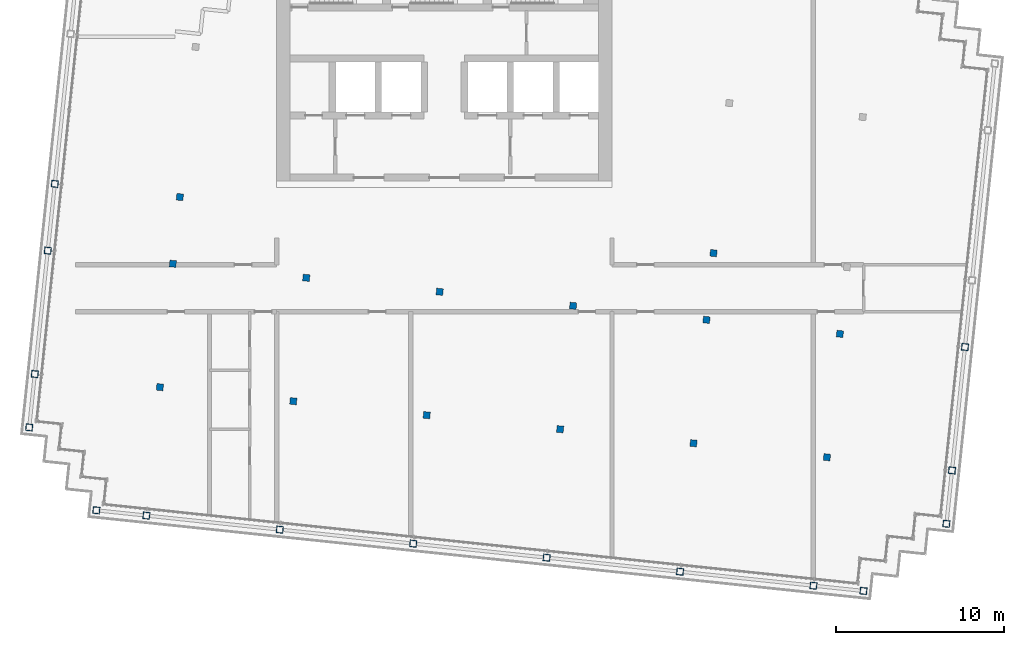
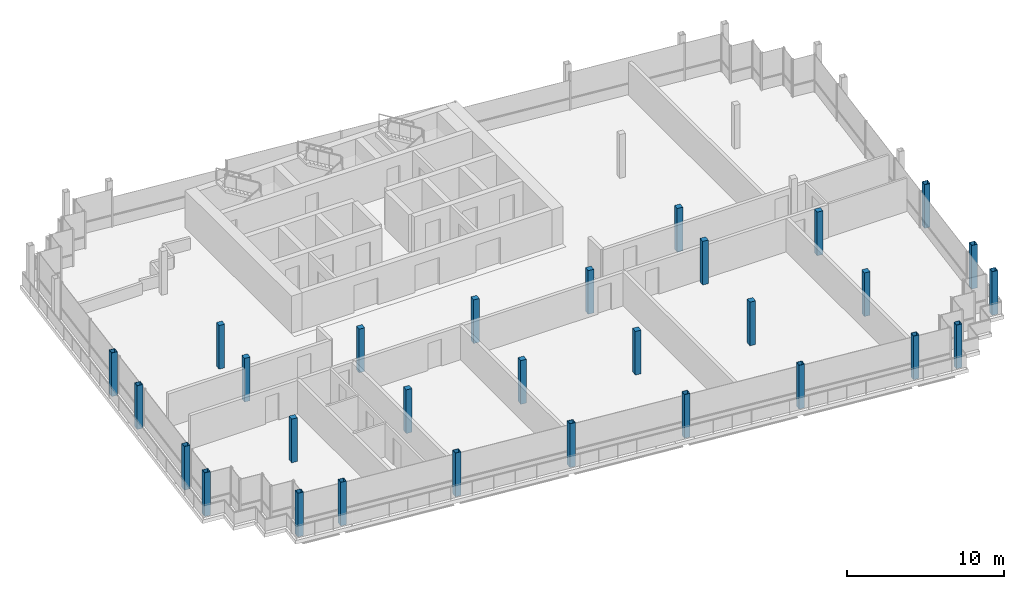
# One storey, part 1 of 15: 29 columns.
"""IFC4 building model written with IfcOpenShell, lengths in metres."""

from ifc_helpers import new_model, si_unit, direction, frame, origin, origin_2d, place, context, subcontext, project, spatial, rectangle, hollow_rectangle, extrude, material, material_profile, profile_set, type_object, element, save


model = new_model("IFC4")

# Units and contexts
model_context = context("Model", 3, precision=1e-05, world=origin(), true_north=direction((0.0, 1.0)))
body_context = subcontext(model_context, "Body", "Model", "MODEL_VIEW")
ifc_project = project(units=[si_unit("LENGTHUNIT", "METRE"), si_unit("AREAUNIT", "SQUARE_METRE"), si_unit("VOLUMEUNIT", "CUBIC_METRE"), si_unit("PLANEANGLEUNIT", "RADIAN"), si_unit("MASSUNIT", "GRAM", prefix="KILO")], contexts=[model_context])

# Site, building, storey
site_placement = place(None, origin())
site = spatial("IfcSite", under=ifc_project, at=site_placement, CompositionType="ELEMENT")
building_placement = place(site_placement, origin())
building = spatial("IfcBuilding", under=site, at=building_placement, Name="Vidyagriha Tower", CompositionType="ELEMENT")
storey_placement = place(building_placement, frame((0.0, 0.0, 298.300048828125)))
storey = spatial("IfcBuildingStorey", under=building, at=storey_placement, Name="L77", CompositionType="ELEMENT", Elevation=298.300048828125)

# Columns
ifc_material_1 = material(Name="Steel ASTM A572 Grade 50", Category="steel")
ifc_material_profile_1 = material_profile(ifc_material_1, hollow_rectangle(XDim=0.39990234375, YDim=0.39990234375, WallThickness=0.02001953125, at=origin_2d()), Name="BOX 400x400x20")
ifc_profile_set_1 = profile_set([ifc_material_profile_1], Name="Steel ASTM A572 Grade 50")
column_type_1 = type_object("IfcColumnType", Name="Exoskeleton column BOX 400x400x20", PredefinedType="COLUMN", material=ifc_profile_set_1)
for number, where, z_axis, x_axis, name in (
    (1, (-20.751953125, -13.24267578125, 0.0), (0.0, 0.0, 1.0), (0.994521895368, -0.104528463268, 0.0), "st-col-L77-B6-001"),
    (2, (-17.768310546875, -13.55615234375, 0.0), (0.0, 0.0, 1.0), (0.994521895368, -0.104528463268, 0.0), "st-col-L77-B6-002"),
    (3, (-9.812255859375, -14.392333984375, 0.0), (0.0, 0.0, 1.0), (0.994521895368, -0.104528463268, 0.0), "st-col-L77-B6-003"),
    (4, (-1.856201171875, -15.228515625, 0.0), (0.0, 0.0, 1.0), (0.994521895368, -0.104528463268, 0.0), "st-col-L77-B6-004"),
    (5, (6.10009765625, -16.06494140625, 0.0), (0.0, 0.0, 1.0), (0.994521895368, -0.104528463268, 0.0), "st-col-L77-B6-005"),
    (6, (14.056396484375, -16.901123046875, 0.0), (0.0, 0.0, 1.0), (0.994521895368, -0.104528463268, 0.0), "st-col-L77-B6-006"),
    (7, (22.012451171875, -17.7373046875, 0.0), (0.0, 0.0, 1.0), (0.994521895368, -0.104528463268, 0.0), "st-col-L77-B6-007"),
    (8, (24.99609375, -18.05078125, 0.0), (0.0, 0.0, 1.0), (0.994521895368, -0.104528463268, 0.0), "st-col-L77-B6-008"),
    (9, (-24.757080078125, -8.296875, 0.0), (0.0, 0.0, 1.0), (0.994521895368, -0.104528463268, 0.0), "st-col-L77-B6-009"),
    (10, (29.941650390625, -14.0458984375, 0.0), (0.0, 0.0, 1.0), (0.994521895368, -0.104528463268, 0.0), "st-col-L77-B6-010"),
    (11, (-24.422607421875, -5.114501953125, 0.0), (0.0, 0.0, 1.0), (0.994521895368, -0.104528463268, 0.0), "st-col-L77-B6-011"),
    (12, (30.276123046875, -10.863525390625, 0.0), (0.0, 0.0, 1.0), (0.994521895368, -0.104528463268, 0.0), "st-col-L77-B6-018"),
    (13, (-23.64892578125, 2.2451171875, 0.0), (0.0, 0.0, 1.0), (0.994521895368, -0.104528463268, 0.0), "st-col-L77-B6-019"),
    (14, (31.0498046875, -3.50390625, 0.0), (0.0, 0.0, 1.0), (0.994521895368, -0.104528463268, 0.0), "st-col-L77-B6-026"),
    (15, (-23.23095703125, 6.22314453125, 0.0), (0.0, 0.0, 1.0), (0.994521895368, -0.104528463268, 0.0), "st-col-L77-B6-027"),
):
    element("IfcColumn", number, at=place(storey_placement, frame(where, z_axis=z_axis, x_axis=x_axis)), inside=storey, type_object=column_type_1, Name=name, PredefinedType="COLUMN", context=body_context, shape_type="SweptSolid", body=[
        extrude(hollow_rectangle(XDim=0.39990234375, YDim=0.39990234375, WallThickness=0.02001953125, at=origin_2d()), origin(), (0.0, 0.0, 1.0), 3.39990234375),
    ])
ifc_material_2 = material(Name="Concrete C60/75", Category="concrete")
ifc_material_profile_2 = material_profile(ifc_material_2, rectangle(XDim=0.39990234375, YDim=0.39990234375, at=origin_2d()), Name="RC 400x400")
ifc_profile_set_2 = profile_set([ifc_material_profile_2], Name="Concrete C60/75")
column_type_2 = type_object("IfcColumnType", Name="Frame column RC 400x400", PredefinedType="COLUMN", material=ifc_profile_set_2)
for number, where, z_axis, x_axis, name in (
    (16, (-16.963623046875, -5.8984375, 0.0), (0.0, 0.0, 1.0), (0.994521895368, -0.104528463268, 0.0), "st-col-L77-B6-012"),
    (17, (-9.00732421875, -6.734619140625, 0.0), (0.0, 0.0, 1.0), (0.994521895368, -0.104528463268, 0.0), "st-col-L77-B6-013"),
    (18, (-1.05126953125, -7.57080078125, 0.0), (0.0, 0.0, 1.0), (0.994521895368, -0.104528463268, 0.0), "st-col-L77-B6-014"),
    (19, (6.905029296875, -8.406982421875, 0.0), (0.0, 0.0, 1.0), (0.994521895368, -0.104528463268, 0.0), "st-col-L77-B6-015"),
    (20, (14.861083984375, -9.243408203125, 0.0), (0.0, 0.0, 1.0), (0.994521895368, -0.104528463268, 0.0), "st-col-L77-B6-016"),
    (21, (22.8173828125, -10.07958984375, 0.0), (0.0, 0.0, 1.0), (0.994521895368, -0.104528463268, 0.0), "st-col-L77-B6-017"),
    (22, (-16.190185546875, 1.461181640625, 0.0), (0.0, 0.0, 1.0), (0.994521895368, -0.104528463268, 0.0), "st-col-L77-B6-020"),
    (23, (-8.23388671875, 0.625, 0.0), (0.0, 0.0, 1.0), (0.994521895368, -0.104528463268, 0.0), "st-col-L77-B6-021"),
    (24, (-0.277587890625, -0.21142578125, 0.0), (0.0, 0.0, 1.0), (0.994521895368, -0.104528463268, 0.0), "st-col-L77-B6-022"),
    (25, (7.678466796875, -1.047607421875, 0.0), (0.0, 0.0, 1.0), (0.994521895368, -0.104528463268, 0.0), "st-col-L77-B6-023"),
    (26, (15.634521484375, -1.8837890625, 0.0), (0.0, 0.0, 1.0), (0.994521895368, -0.104528463268, 0.0), "st-col-L77-B6-024"),
    (27, (23.5908203125, -2.72021484375, 0.0), (0.0, 0.0, 1.0), (0.994521895368, -0.104528463268, 0.0), "st-col-L77-B6-025"),
    (28, (-15.77197265625, 5.439208984375, 0.0), (0.0, 0.0, 1.0), (0.994521895368, -0.104528463268, 0.0), "st-col-L77-B6-028"),
    (29, (16.052734375, 2.09423828125, 0.0), (0.0, 0.0, 1.0), (0.994521895368, -0.104528463268, 0.0), "st-col-L77-B6-029"),
):
    element("IfcColumn", number, at=place(storey_placement, frame(where, z_axis=z_axis, x_axis=x_axis)), inside=storey, type_object=column_type_2, Name=name, PredefinedType="COLUMN", context=body_context, shape_type="SweptSolid", body=[
        extrude(rectangle(XDim=0.39990234375, YDim=0.39990234375, at=origin_2d()), origin(), (0.0, 0.0, 1.0), 3.39990234375),
    ])

save(model, "model.ifc")
